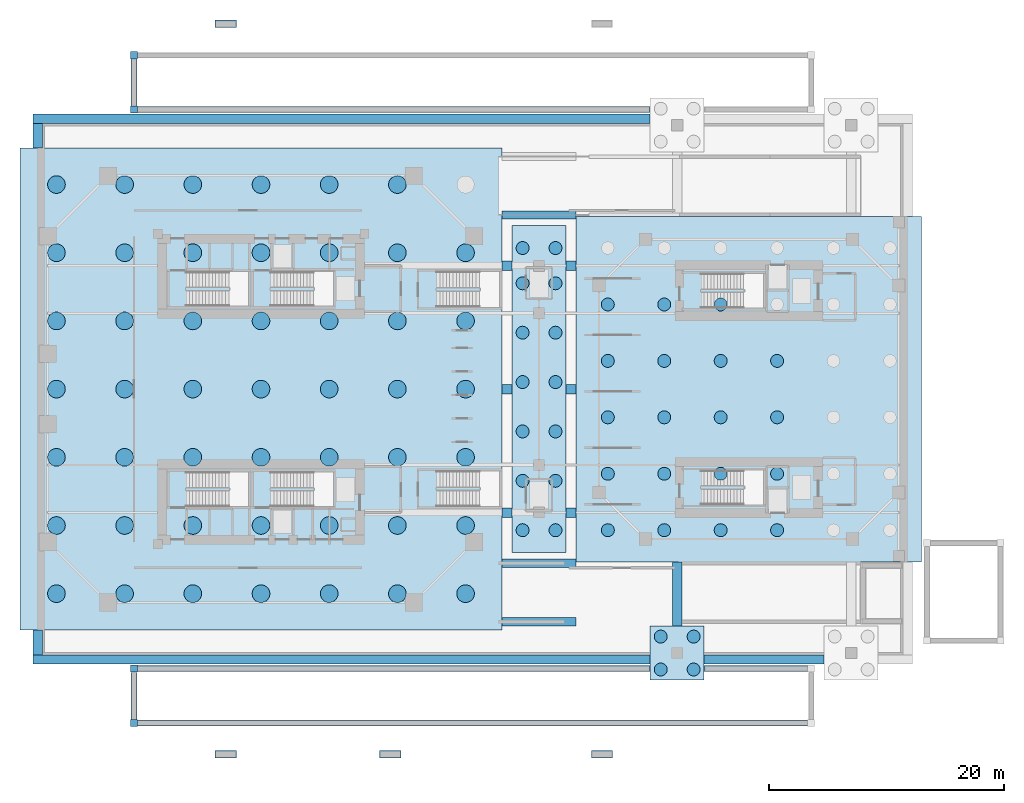
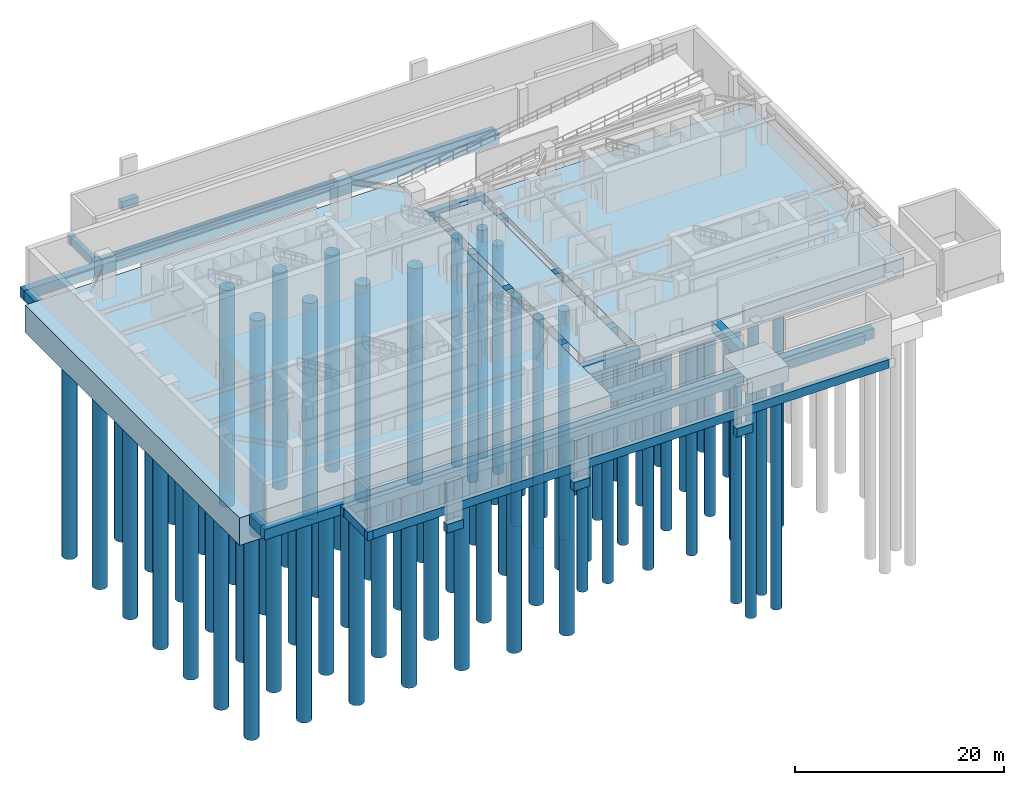
# One storey, part 1 of 13: 85 piles, 33 footings.
"""IFC4 building model written with IfcOpenShell, lengths in metres."""

from ifc_helpers import new_model, si_unit, direction, frame, origin, origin_2d, place, context, subcontext, project, spatial, polyline, circle, outline, extrude, source, transform, mapped, material, material_profile, profile_set, type_object, element, save


model = new_model("IFC4")

# Units and contexts
model_context = context("Model", 3, precision=1e-05, world=origin(), true_north=direction((0.0, 1.0)))
body_context = subcontext(model_context, "Body", "Model", "MODEL_VIEW")
ifc_project = project(units=[si_unit("LENGTHUNIT", "METRE"), si_unit("AREAUNIT", "SQUARE_METRE"), si_unit("VOLUMEUNIT", "CUBIC_METRE"), si_unit("PLANEANGLEUNIT", "RADIAN"), si_unit("MASSUNIT", "GRAM", prefix="KILO"), si_unit("THERMODYNAMICTEMPERATUREUNIT", "KELVIN"), si_unit("POWERUNIT", "WATT")], contexts=[model_context])

# Site, building, storey
site_placement = place(None, origin())
site = spatial("IfcSite", under=ifc_project, at=site_placement, CompositionType="ELEMENT")
building_placement = place(site_placement, origin())
building = spatial("IfcBuilding", under=site, at=building_placement, Name="Qiaomeng Ring Towers", CompositionType="ELEMENT")
storey_placement = place(building_placement, frame((0.0, 0.0, -9.60009765625)))
storey = spatial("IfcBuildingStorey", under=building, at=storey_placement, Name="B2", CompositionType="ELEMENT", Elevation=-9.60009765625)

# Footings
ifc_material = material(Name="Concrete C40", Category="concrete")
footing_type_1 = type_object("IfcFootingType", Name="FND-CAP-PC1", PredefinedType="PILE_CAP", material=ifc_material)
footing_1_placement = place(storey_placement, frame((0.0, 0.0, -1.7998046875)))
element("IfcFooting", 1, at=footing_1_placement, inside=storey, type_object=footing_type_1, Name="Podium Pile Cap PC1-01", PredefinedType="PILE_CAP", context=body_context, shape_type="SweptSolid", body=[
    extrude(outline(polyline([(52.10009765625, -1.75), (56.699951171875, -1.75), (56.699951171875, 2.85009765625), (52.10009765625, 2.85009765625), (52.10009765625, -1.75)])), origin(), (0.0, 0.0, 1.0), 1.7998046875),
])
footing_type_2 = type_object("IfcFootingType", Name="FND-GB-FB1", PredefinedType="FOOTING_BEAM", material=ifc_material)
footing_2_placement = place(storey_placement, frame((0.0, 0.0, -1.199951171875)))
element("IfcFooting", 2, at=footing_2_placement, inside=storey, type_object=footing_type_2, Name="Foundation Tie Beam FB1-01", PredefinedType="FOOTING_BEAM", context=body_context, shape_type="SweptSolid", body=[
    extrude(outline(polyline([(39.5, 12.10009765625), (40.35009765625, 12.10009765625), (40.35009765625, 12.89990234375), (39.5, 12.89990234375), (39.5, 12.10009765625)])), origin(), (0.0, 0.0, 1.0), 1.199951171875),
])
footing_3_placement = place(storey_placement, frame((0.0, 0.0, -1.199951171875)))
element("IfcFooting", 3, at=footing_3_placement, inside=storey, type_object=footing_type_2, Name="Foundation Tie Beam FB1-02", PredefinedType="FOOTING_BEAM", context=body_context, shape_type="SweptSolid", body=[
    extrude(outline(polyline([(44.949951171875, 12.10009765625), (45.800048828125, 12.10009765625), (45.800048828125, 12.89990234375), (44.949951171875, 12.89990234375), (44.949951171875, 12.10009765625)])), origin(), (0.0, 0.0, 1.0), 1.199951171875),
])
footing_4_placement = place(storey_placement, frame((0.0, 0.0, -1.199951171875)))
element("IfcFooting", 4, at=footing_4_placement, inside=storey, type_object=footing_type_2, Name="Foundation Tie Beam FB1-03", PredefinedType="FOOTING_BEAM", context=body_context, shape_type="SweptSolid", body=[
    extrude(outline(polyline([(39.5, 22.60009765625), (40.35009765625, 22.60009765625), (40.35009765625, 23.39990234375), (39.5, 23.39990234375), (39.5, 22.60009765625)])), origin(), (0.0, 0.0, 1.0), 1.199951171875),
])
footing_5_placement = place(storey_placement, frame((0.0, 0.0, -1.199951171875)))
element("IfcFooting", 5, at=footing_5_placement, inside=storey, type_object=footing_type_2, Name="Foundation Tie Beam FB1-04", PredefinedType="FOOTING_BEAM", context=body_context, shape_type="SweptSolid", body=[
    extrude(outline(polyline([(44.949951171875, 22.60009765625), (45.800048828125, 22.60009765625), (45.800048828125, 23.39990234375), (44.949951171875, 23.39990234375), (44.949951171875, 22.60009765625)])), origin(), (0.0, 0.0, 1.0), 1.199951171875),
])
footing_6_placement = place(storey_placement, frame((0.0, 0.0, -1.199951171875)))
element("IfcFooting", 6, at=footing_6_placement, inside=storey, type_object=footing_type_2, Name="Foundation Tie Beam FB1-05", PredefinedType="FOOTING_BEAM", context=body_context, shape_type="SweptSolid", body=[
    extrude(outline(polyline([(39.5, 33.10009765625), (40.35009765625, 33.10009765625), (40.35009765625, 33.89990234375), (39.5, 33.89990234375), (39.5, 33.10009765625)])), origin(), (0.0, 0.0, 1.0), 1.199951171875),
])
footing_7_placement = place(storey_placement, frame((0.0, 0.0, -1.199951171875)))
element("IfcFooting", 7, at=footing_7_placement, inside=storey, type_object=footing_type_2, Name="Foundation Tie Beam FB1-06", PredefinedType="FOOTING_BEAM", context=body_context, shape_type="SweptSolid", body=[
    extrude(outline(polyline([(44.949951171875, 33.10009765625), (45.800048828125, 33.10009765625), (45.800048828125, 33.89990234375), (44.949951171875, 33.89990234375), (44.949951171875, 33.10009765625)])), origin(), (0.0, 0.0, 1.0), 1.199951171875),
])
footing_8_placement = place(storey_placement, frame((0.0, 0.0, -1.199951171875)))
element("IfcFooting", 8, at=footing_8_placement, inside=storey, type_object=footing_type_2, Name="Foundation Tie Beam FB1-09", PredefinedType="FOOTING_BEAM", context=body_context, shape_type="SweptSolid", body=[
    extrude(outline(polyline([(-0.39990234375, -0.39990234375), (52.10009765625, -0.39990234375), (52.10009765625, 0.39990234375), (-0.39990234375, 0.39990234375), (-0.39990234375, -0.39990234375)])), origin(), (0.0, 0.0, 1.0), 1.199951171875),
])
footing_9_placement = place(storey_placement, frame((0.0, 0.0, -1.199951171875)))
element("IfcFooting", 9, at=footing_9_placement, inside=storey, type_object=footing_type_2, Name="Foundation Tie Beam FB1-10", PredefinedType="FOOTING_BEAM", context=body_context, shape_type="SweptSolid", body=[
    extrude(outline(polyline([(56.699951171875, -0.39990234375), (66.89990234375, -0.39990234375), (66.89990234375, 0.39990234375), (56.699951171875, 0.39990234375), (56.699951171875, -0.39990234375)])), origin(), (0.0, 0.0, 1.0), 1.199951171875),
])
footing_10_placement = place(storey_placement, frame((0.0, 0.0, -1.199951171875)))
element("IfcFooting", 10, at=footing_10_placement, inside=storey, type_object=footing_type_2, Name="Foundation Tie Beam FB1-12", PredefinedType="FOOTING_BEAM", context=body_context, shape_type="SweptSolid", body=[
    extrude(outline(polyline([(-0.39990234375, 45.60009765625), (52.10009765625, 45.60009765625), (52.10009765625, 46.39990234375), (-0.39990234375, 46.39990234375), (-0.39990234375, 45.60009765625)])), origin(), (0.0, 0.0, 1.0), 1.199951171875),
])
footing_11_placement = place(storey_placement, frame((0.0, 0.0, -1.199951171875)))
element("IfcFooting", 11, at=footing_11_placement, inside=storey, type_object=footing_type_2, Name="Foundation Tie Beam FB1-15", PredefinedType="FOOTING_BEAM", context=body_context, shape_type="SweptSolid", body=[
    extrude(outline(polyline([(54.0, 2.85009765625), (54.800048828125, 2.85009765625), (54.800048828125, 8.300048828125), (54.0, 8.300048828125), (54.0, 2.85009765625)])), origin(), (0.0, 0.0, 1.0), 1.199951171875),
])
footing_12_placement = place(storey_placement, frame((0.0, 0.0, -1.199951171875)))
element("IfcFooting", 12, at=footing_12_placement, inside=storey, type_object=footing_type_2, Name="Foundation Tie Beam FB1-19", PredefinedType="FOOTING_BEAM", context=body_context, shape_type="SweptSolid", body=[
    extrude(outline(polyline([(-0.39990234375, 0.39990234375), (0.39990234375, 0.39990234375), (0.39990234375, 2.5), (-0.39990234375, 2.5), (-0.39990234375, 0.39990234375)])), origin(), (0.0, 0.0, 1.0), 1.199951171875),
])
footing_13_placement = place(storey_placement, frame((0.0, 0.0, -1.199951171875)))
element("IfcFooting", 13, at=footing_13_placement, inside=storey, type_object=footing_type_2, Name="Foundation Tie Beam FB1-20", PredefinedType="FOOTING_BEAM", context=body_context, shape_type="SweptSolid", body=[
    extrude(outline(polyline([(-0.39990234375, 43.5), (0.39990234375, 43.5), (0.39990234375, 45.60009765625), (-0.39990234375, 45.60009765625), (-0.39990234375, 43.5)])), origin(), (0.0, 0.0, 1.0), 1.199951171875),
])
footing_type_3 = type_object("IfcFootingType", Name="FND-GB-FB2", PredefinedType="FOOTING_BEAM", material=ifc_material)
footing_14_placement = place(storey_placement, frame((0.0, 0.0, -1.0)))
element("IfcFooting", 14, at=footing_14_placement, inside=storey, type_object=footing_type_3, Name="Apron Strip Footing PLZ-S-S", PredefinedType="FOOTING_BEAM", context=body_context, shape_type="SweptSolid", body=[
    extrude(outline(polyline([(8.510009765625, -5.64990234375), (65.489990234375, -5.64990234375), (65.489990234375, -5.14990234375), (8.510009765625, -5.14990234375), (8.510009765625, -5.64990234375)])), origin(), (0.0, 0.0, 1.0), 1.0),
])
footing_15_placement = place(storey_placement, frame((0.0, 0.0, -1.0)))
element("IfcFooting", 15, at=footing_15_placement, inside=storey, type_object=footing_type_3, Name="Apron Strip Footing PLZ-S-N1", PredefinedType="FOOTING_BEAM", context=body_context, shape_type="SweptSolid", body=[
    extrude(outline(polyline([(8.510009765625, -1.030029296875), (52.097900390625, -1.030029296875), (52.097900390625, -0.530029296875), (8.510009765625, -0.530029296875), (8.510009765625, -1.030029296875)])), origin(), (0.0, 0.0, 1.0), 1.0),
])
footing_16_placement = place(storey_placement, frame((0.0, 0.0, -1.0)))
element("IfcFooting", 16, at=footing_16_placement, inside=storey, type_object=footing_type_3, Name="Apron Strip Footing PLZ-S-N2", PredefinedType="FOOTING_BEAM", context=body_context, shape_type="SweptSolid", body=[
    extrude(outline(polyline([(56.701904296875, -1.030029296875), (65.489990234375, -1.030029296875), (65.489990234375, -0.530029296875), (56.701904296875, -0.530029296875), (56.701904296875, -1.030029296875)])), origin(), (0.0, 0.0, 1.0), 1.0),
])
footing_17_placement = place(storey_placement, frame((0.0, 0.0, -1.0)))
element("IfcFooting", 17, at=footing_17_placement, inside=storey, type_object=footing_type_3, Name="Apron Strip Footing PLZ-S-W", PredefinedType="FOOTING_BEAM", context=body_context, shape_type="SweptSolid", body=[
    extrude(outline(polyline([(7.949951171875, -5.090087890625), (8.449951171875, -5.090087890625), (8.449951171875, -1.090087890625), (7.949951171875, -1.090087890625), (7.949951171875, -5.090087890625)])), origin(), (0.0, 0.0, 1.0), 1.0),
])
footing_18_placement = place(storey_placement, frame((0.0, 0.0, -1.0)))
element("IfcFooting", 18, at=footing_18_placement, inside=storey, type_object=footing_type_3, Name="Apron Strip Footing PLZ-N-S1", PredefinedType="FOOTING_BEAM", context=body_context, shape_type="SweptSolid", body=[
    extrude(outline(polyline([(8.510009765625, 46.530029296875), (52.097900390625, 46.530029296875), (52.097900390625, 47.030029296875), (8.510009765625, 47.030029296875), (8.510009765625, 46.530029296875)])), origin(), (0.0, 0.0, 1.0), 1.0),
])
footing_19_placement = place(storey_placement, frame((0.0, 0.0, -1.0)))
element("IfcFooting", 19, at=footing_19_placement, inside=storey, type_object=footing_type_3, Name="Apron Strip Footing PLZ-N-W", PredefinedType="FOOTING_BEAM", context=body_context, shape_type="SweptSolid", body=[
    extrude(outline(polyline([(7.949951171875, 47.090087890625), (8.449951171875, 47.090087890625), (8.449951171875, 51.090087890625), (7.949951171875, 51.090087890625), (7.949951171875, 47.090087890625)])), origin(), (0.0, 0.0, 1.0), 1.0),
])
footing_20_placement = place(storey_placement, frame((0.0, 0.0, -1.199951171875)))
element("IfcFooting", 20, at=footing_20_placement, inside=storey, type_object=footing_type_3, Name="Vehicle Ramp R1 Support Strip Footing S", PredefinedType="FOOTING_BEAM", context=body_context, shape_type="SweptSolid", body=[
    extrude(outline(polyline([(39.52001953125, 2.8701171875), (45.780029296875, 2.8701171875), (45.780029296875, 3.570068359375), (39.52001953125, 3.570068359375), (39.52001953125, 2.8701171875)])), origin(), (0.0, 0.0, 1.0), 1.199951171875),
])
footing_21_placement = place(storey_placement, frame((0.0, 0.0, -1.199951171875)))
element("IfcFooting", 21, at=footing_21_placement, inside=storey, type_object=footing_type_3, Name="Vehicle Ramp R1 Support Strip Footing N", PredefinedType="FOOTING_BEAM", context=body_context, shape_type="SweptSolid", body=[
    extrude(outline(polyline([(39.52001953125, 7.830078125), (45.780029296875, 7.830078125), (45.780029296875, 8.530029296875), (39.52001953125, 8.530029296875), (39.52001953125, 7.830078125)])), origin(), (0.0, 0.0, 1.0), 1.199951171875),
])
footing_22_placement = place(storey_placement, frame((0.0, 0.0, -1.199951171875)))
element("IfcFooting", 22, at=footing_22_placement, inside=storey, type_object=footing_type_3, Name="Vehicle Ramp R2 Support Strip Footing S", PredefinedType="FOOTING_BEAM", context=body_context, shape_type="SweptSolid", body=[
    extrude(outline(polyline([(39.52001953125, 37.469970703125), (45.780029296875, 37.469970703125), (45.780029296875, 38.169921875), (39.52001953125, 38.169921875), (39.52001953125, 37.469970703125)])), origin(), (0.0, 0.0, 1.0), 1.199951171875),
])
footing_type_4 = type_object("IfcFootingType", Name="FND-PAD-APRON", PredefinedType="PAD_FOOTING", material=ifc_material)
footing_23_placement = place(storey_placement, frame((0.0, 0.0, -1.0)))
element("IfcFooting", 23, at=footing_23_placement, inside=storey, type_object=footing_type_4, Name="Apron Corner Pad Footing PLZ-S-SW", PredefinedType="PAD_FOOTING", context=body_context, shape_type="SweptSolid", body=[
    extrude(outline(polyline([(7.89990234375, -5.699951171875), (8.5, -5.699951171875), (8.5, -5.10009765625), (7.89990234375, -5.10009765625), (7.89990234375, -5.699951171875)])), origin(), (0.0, 0.0, 1.0), 1.0),
])
footing_24_placement = place(storey_placement, frame((0.0, 0.0, -1.0)))
element("IfcFooting", 24, at=footing_24_placement, inside=storey, type_object=footing_type_4, Name="Apron Corner Pad Footing PLZ-S-NW", PredefinedType="PAD_FOOTING", context=body_context, shape_type="SweptSolid", body=[
    extrude(outline(polyline([(7.89990234375, -1.080078125), (8.5, -1.080078125), (8.5, -0.47998046875), (7.89990234375, -0.47998046875), (7.89990234375, -1.080078125)])), origin(), (0.0, 0.0, 1.0), 1.0),
])
footing_25_placement = place(storey_placement, frame((0.0, 0.0, -1.0)))
element("IfcFooting", 25, at=footing_25_placement, inside=storey, type_object=footing_type_4, Name="Apron Corner Pad Footing PLZ-N-SW", PredefinedType="PAD_FOOTING", context=body_context, shape_type="SweptSolid", body=[
    extrude(outline(polyline([(7.89990234375, 46.47998046875), (8.5, 46.47998046875), (8.5, 47.080078125), (7.89990234375, 47.080078125), (7.89990234375, 46.47998046875)])), origin(), (0.0, 0.0, 1.0), 1.0),
])
footing_26_placement = place(storey_placement, frame((0.0, 0.0, -1.0)))
element("IfcFooting", 26, at=footing_26_placement, inside=storey, type_object=footing_type_4, Name="Apron Corner Pad Footing PLZ-N-NW", PredefinedType="PAD_FOOTING", context=body_context, shape_type="SweptSolid", body=[
    extrude(outline(polyline([(7.89990234375, 51.10009765625), (8.5, 51.10009765625), (8.5, 51.699951171875), (7.89990234375, 51.699951171875), (7.89990234375, 51.10009765625)])), origin(), (0.0, 0.0, 1.0), 1.0),
])
footing_type_5 = type_object("IfcFootingType", Name="FND-PAD-AR", PredefinedType="PAD_FOOTING", material=ifc_material)
footing_27_placement = place(storey_placement, frame((0.0, 0.0, -1.0)))
element("IfcFooting", 27, at=footing_27_placement, inside=storey, type_object=footing_type_5, Name="AR1 Kerb Pad Footing", PredefinedType="PAD_FOOTING", context=body_context, shape_type="SweptSolid", body=[
    extrude(outline(polyline([(15.10009765625, -8.39794921875), (16.89990234375, -8.39794921875), (16.89990234375, -7.748046875), (15.10009765625, -7.748046875), (15.10009765625, -8.39794921875)])), origin(), (0.0, 0.0, 1.0), 1.0),
])
footing_28_placement = place(storey_placement, frame((0.0, 0.0, -1.0)))
element("IfcFooting", 28, at=footing_28_placement, inside=storey, type_object=footing_type_5, Name="AR2 Kerb Pad Footing", PredefinedType="PAD_FOOTING", context=body_context, shape_type="SweptSolid", body=[
    extrude(outline(polyline([(47.10009765625, -8.39794921875), (48.89990234375, -8.39794921875), (48.89990234375, -7.748046875), (47.10009765625, -7.748046875), (47.10009765625, -8.39794921875)])), origin(), (0.0, 0.0, 1.0), 1.0),
])
footing_29_placement = place(storey_placement, frame((0.0, 0.0, -1.0)))
element("IfcFooting", 29, at=footing_29_placement, inside=storey, type_object=footing_type_5, Name="AR3 Kerb Pad Footing", PredefinedType="PAD_FOOTING", context=body_context, shape_type="SweptSolid", body=[
    extrude(outline(polyline([(15.10009765625, 53.748046875), (16.89990234375, 53.748046875), (16.89990234375, 54.39794921875), (15.10009765625, 54.39794921875), (15.10009765625, 53.748046875)])), origin(), (0.0, 0.0, 1.0), 1.0),
])
footing_30_placement = place(storey_placement, frame((0.0, 0.0, -1.0)))
element("IfcFooting", 30, at=footing_30_placement, inside=storey, type_object=footing_type_5, Name="AR5 Kerb Pad Footing", PredefinedType="PAD_FOOTING", context=body_context, shape_type="SweptSolid", body=[
    extrude(outline(polyline([(29.10009765625, -8.39794921875), (30.89990234375, -8.39794921875), (30.89990234375, -7.748046875), (29.10009765625, -7.748046875), (29.10009765625, -8.39794921875)])), origin(), (0.0, 0.0, 1.0), 1.0),
])
footing_type_6 = type_object("IfcFootingType", Name="FND-RAFT-RF3", PredefinedType="PILE_CAP", material=ifc_material)
footing_31_placement = place(storey_placement, frame((0.0, 0.0, -1.7998046875)))
element("IfcFooting", 31, at=footing_31_placement, inside=storey, type_object=footing_type_6, Name="Podium Throat Piled Strip Raft RF3", PredefinedType="PILE_CAP", context=body_context, shape_type="SweptSolid", body=[
    extrude(outline(polyline([(40.35009765625, 9.10009765625), (44.949951171875, 9.10009765625), (44.949951171875, 36.89990234375), (40.35009765625, 36.89990234375), (40.35009765625, 9.10009765625)])), origin(), (0.0, 0.0, 1.0), 1.7998046875),
])
footing_type_7 = type_object("IfcFootingType", Name="FND-RAFT-T1", PredefinedType="PILE_CAP", material=ifc_material)
footing_32_placement = place(storey_placement, frame((0.0, 0.0, -3.199951171875)))
element("IfcFooting", 32, at=footing_32_placement, inside=storey, type_object=footing_type_7, Name="Tower 1 Piled Foundation Raft RF1", PredefinedType="PILE_CAP", context=body_context, shape_type="SweptSolid", body=[
    extrude(outline(polyline([(-1.5, 2.5), (39.5, 2.5), (39.5, 43.5), (-1.5, 43.5), (-1.5, 2.5)])), origin(), (0.0, 0.0, 1.0), 3.199951171875),
])
footing_type_8 = type_object("IfcFootingType", Name="FND-RAFT-T2", PredefinedType="PILE_CAP", material=ifc_material)
footing_33_placement = place(storey_placement, frame((0.0, 0.0, -2.199951171875)))
element("IfcFooting", 33, at=footing_33_placement, inside=storey, type_object=footing_type_8, Name="Companion Tower 2 Piled Foundation Raft RF2", PredefinedType="PILE_CAP", context=body_context, shape_type="SweptSolid", body=[
    extrude(outline(polyline([(45.800048828125, 8.300048828125), (75.199951171875, 8.300048828125), (75.199951171875, 37.699951171875), (45.800048828125, 37.699951171875), (45.800048828125, 8.300048828125)])), origin(), (0.0, 0.0, 1.0), 2.199951171875),
])

# Piles
ifc_material_profile_1 = material_profile(ifc_material, circle(Radius=0.75, at=origin_2d()), Name="BORED PILE 1500")
ifc_profile_set_1 = profile_set([ifc_material_profile_1], Name="Concrete C40")
pile_type_1 = type_object("IfcPileType", Name="FND-PILE-1500", PredefinedType="BORED", material=ifc_profile_set_1)
shared_shape_1 = source(origin(), body_context, "Body", "SweptSolid", [
    extrude(circle(Radius=0.75, at=origin_2d()), origin(), (0.0, 0.0, 1.0), 25.300048828125),
])
for number, where, z_axis, x_axis, name in (
    (34, (1.60009765625, 5.60009765625, -3.099853515625), (0.0, 0.0, -1.0), (1.0, 0.0, 0.0), "Tower 1 Rock-Socketed Bored Pile PL1-001"),
    (35, (1.60009765625, 11.39990234375, -3.099853515625), (0.0, 0.0, -1.0), (1.0, 0.0, 0.0), "Tower 1 Rock-Socketed Bored Pile PL1-002"),
    (36, (1.60009765625, 17.199951171875, -3.099853515625), (0.0, 0.0, -1.0), (1.0, 0.0, 0.0), "Tower 1 Rock-Socketed Bored Pile PL1-003"),
    (37, (1.60009765625, 23.0, -3.099853515625), (0.0, 0.0, -1.0), (1.0, 0.0, 0.0), "Tower 1 Rock-Socketed Bored Pile PL1-004"),
    (38, (1.60009765625, 28.800048828125, -3.099853515625), (0.0, 0.0, -1.0), (1.0, 0.0, 0.0), "Tower 1 Rock-Socketed Bored Pile PL1-005"),
    (39, (1.60009765625, 34.60009765625, -3.099853515625), (0.0, 0.0, -1.0), (1.0, 0.0, 0.0), "Tower 1 Rock-Socketed Bored Pile PL1-006"),
    (40, (1.60009765625, 40.39990234375, -3.099853515625), (0.0, 0.0, -1.0), (1.0, 0.0, 0.0), "Tower 1 Rock-Socketed Bored Pile PL1-007"),
    (41, (7.39990234375, 5.60009765625, -3.099853515625), (0.0, 0.0, -1.0), (1.0, 0.0, 0.0), "Tower 1 Rock-Socketed Bored Pile PL1-008"),
    (42, (7.39990234375, 11.39990234375, -3.099853515625), (0.0, 0.0, -1.0), (1.0, 0.0, 0.0), "Tower 1 Rock-Socketed Bored Pile PL1-009"),
    (43, (7.39990234375, 17.199951171875, -3.099853515625), (0.0, 0.0, -1.0), (1.0, 0.0, 0.0), "Tower 1 Rock-Socketed Bored Pile PL1-010"),
    (44, (7.39990234375, 23.0, -3.099853515625), (0.0, 0.0, -1.0), (1.0, 0.0, 0.0), "Tower 1 Rock-Socketed Bored Pile PL1-011"),
    (45, (7.39990234375, 28.800048828125, -3.099853515625), (0.0, 0.0, -1.0), (1.0, 0.0, 0.0), "Tower 1 Rock-Socketed Bored Pile PL1-012"),
    (46, (7.39990234375, 34.60009765625, -3.099853515625), (0.0, 0.0, -1.0), (1.0, 0.0, 0.0), "Tower 1 Rock-Socketed Bored Pile PL1-013"),
    (47, (7.39990234375, 40.39990234375, -3.099853515625), (0.0, 0.0, -1.0), (1.0, 0.0, 0.0), "Tower 1 Rock-Socketed Bored Pile PL1-014"),
    (48, (13.199951171875, 5.60009765625, -3.099853515625), (0.0, 0.0, -1.0), (1.0, 0.0, 0.0), "Tower 1 Rock-Socketed Bored Pile PL1-015"),
    (49, (13.199951171875, 11.39990234375, -3.099853515625), (0.0, 0.0, -1.0), (1.0, 0.0, 0.0), "Tower 1 Rock-Socketed Bored Pile PL1-016"),
    (50, (13.199951171875, 17.199951171875, -3.099853515625), (0.0, 0.0, -1.0), (1.0, 0.0, 0.0), "Tower 1 Rock-Socketed Bored Pile PL1-017"),
    (51, (13.199951171875, 23.0, -3.099853515625), (0.0, 0.0, -1.0), (1.0, 0.0, 0.0), "Tower 1 Rock-Socketed Bored Pile PL1-018"),
    (52, (13.199951171875, 28.800048828125, -3.099853515625), (0.0, 0.0, -1.0), (1.0, 0.0, 0.0), "Tower 1 Rock-Socketed Bored Pile PL1-019"),
    (53, (13.199951171875, 34.60009765625, -3.099853515625), (0.0, 0.0, -1.0), (1.0, 0.0, 0.0), "Tower 1 Rock-Socketed Bored Pile PL1-020"),
    (54, (13.199951171875, 40.39990234375, -3.099853515625), (0.0, 0.0, -1.0), (1.0, 0.0, 0.0), "Tower 1 Rock-Socketed Bored Pile PL1-021"),
    (55, (19.0, 5.60009765625, -3.099853515625), (0.0, 0.0, -1.0), (1.0, 0.0, 0.0), "Tower 1 Rock-Socketed Bored Pile PL1-022"),
    (56, (19.0, 11.39990234375, -3.099853515625), (0.0, 0.0, -1.0), (1.0, 0.0, 0.0), "Tower 1 Rock-Socketed Bored Pile PL1-023"),
    (57, (19.0, 17.199951171875, -3.099853515625), (0.0, 0.0, -1.0), (1.0, 0.0, 0.0), "Tower 1 Rock-Socketed Bored Pile PL1-024"),
    (58, (19.0, 23.0, -3.099853515625), (0.0, 0.0, -1.0), (1.0, 0.0, 0.0), "Tower 1 Rock-Socketed Bored Pile PL1-025"),
    (59, (19.0, 28.800048828125, -3.099853515625), (0.0, 0.0, -1.0), (1.0, 0.0, 0.0), "Tower 1 Rock-Socketed Bored Pile PL1-026"),
    (60, (19.0, 34.60009765625, -3.099853515625), (0.0, 0.0, -1.0), (1.0, 0.0, 0.0), "Tower 1 Rock-Socketed Bored Pile PL1-027"),
    (61, (19.0, 40.39990234375, -3.099853515625), (0.0, 0.0, -1.0), (1.0, 0.0, 0.0), "Tower 1 Rock-Socketed Bored Pile PL1-028"),
    (62, (24.800048828125, 5.60009765625, -3.099853515625), (0.0, 0.0, -1.0), (1.0, 0.0, 0.0), "Tower 1 Rock-Socketed Bored Pile PL1-029"),
    (63, (24.800048828125, 11.39990234375, -3.099853515625), (0.0, 0.0, -1.0), (1.0, 0.0, 0.0), "Tower 1 Rock-Socketed Bored Pile PL1-030"),
    (64, (24.800048828125, 17.199951171875, -3.099853515625), (0.0, 0.0, -1.0), (1.0, 0.0, 0.0), "Tower 1 Rock-Socketed Bored Pile PL1-031"),
    (65, (24.800048828125, 23.0, -3.099853515625), (0.0, 0.0, -1.0), (1.0, 0.0, 0.0), "Tower 1 Rock-Socketed Bored Pile PL1-032"),
    (66, (24.800048828125, 28.800048828125, -3.099853515625), (0.0, 0.0, -1.0), (1.0, 0.0, 0.0), "Tower 1 Rock-Socketed Bored Pile PL1-033"),
    (67, (24.800048828125, 34.60009765625, -3.099853515625), (0.0, 0.0, -1.0), (1.0, 0.0, 0.0), "Tower 1 Rock-Socketed Bored Pile PL1-034"),
    (68, (24.800048828125, 40.39990234375, -3.099853515625), (0.0, 0.0, -1.0), (1.0, 0.0, 0.0), "Tower 1 Rock-Socketed Bored Pile PL1-035"),
    (69, (30.60009765625, 5.60009765625, -3.099853515625), (0.0, 0.0, -1.0), (1.0, 0.0, 0.0), "Tower 1 Rock-Socketed Bored Pile PL1-036"),
    (70, (30.60009765625, 11.39990234375, -3.099853515625), (0.0, 0.0, -1.0), (1.0, 0.0, 0.0), "Tower 1 Rock-Socketed Bored Pile PL1-037"),
    (71, (30.60009765625, 17.199951171875, -3.099853515625), (0.0, 0.0, -1.0), (1.0, 0.0, 0.0), "Tower 1 Rock-Socketed Bored Pile PL1-038"),
    (72, (30.60009765625, 23.0, -3.099853515625), (0.0, 0.0, -1.0), (1.0, 0.0, 0.0), "Tower 1 Rock-Socketed Bored Pile PL1-039"),
    (73, (30.60009765625, 28.800048828125, -3.099853515625), (0.0, 0.0, -1.0), (1.0, 0.0, 0.0), "Tower 1 Rock-Socketed Bored Pile PL1-040"),
    (74, (30.60009765625, 34.60009765625, -3.099853515625), (0.0, 0.0, -1.0), (1.0, 0.0, 0.0), "Tower 1 Rock-Socketed Bored Pile PL1-041"),
    (75, (30.60009765625, 40.39990234375, -3.099853515625), (0.0, 0.0, -1.0), (1.0, 0.0, 0.0), "Tower 1 Rock-Socketed Bored Pile PL1-042"),
    (76, (36.39990234375, 5.60009765625, -3.099853515625), (0.0, 0.0, -1.0), (1.0, 0.0, 0.0), "Tower 1 Rock-Socketed Bored Pile PL1-043"),
    (77, (36.39990234375, 11.39990234375, -3.099853515625), (0.0, 0.0, -1.0), (1.0, 0.0, 0.0), "Tower 1 Rock-Socketed Bored Pile PL1-044"),
    (78, (36.39990234375, 17.199951171875, -3.099853515625), (0.0, 0.0, -1.0), (1.0, 0.0, 0.0), "Tower 1 Rock-Socketed Bored Pile PL1-045"),
    (79, (36.39990234375, 23.0, -3.099853515625), (0.0, 0.0, -1.0), (1.0, 0.0, 0.0), "Tower 1 Rock-Socketed Bored Pile PL1-046"),
    (80, (36.39990234375, 28.800048828125, -3.099853515625), (0.0, 0.0, -1.0), (1.0, 0.0, 0.0), "Tower 1 Rock-Socketed Bored Pile PL1-047"),
    (81, (36.39990234375, 34.60009765625, -3.099853515625), (0.0, 0.0, -1.0), (1.0, 0.0, 0.0), "Tower 1 Rock-Socketed Bored Pile PL1-048"),
):
    element("IfcPile", number, at=place(storey_placement, frame(where, z_axis=z_axis, x_axis=x_axis)), inside=storey, type_object=pile_type_1, Name=name, PredefinedType="BORED", context=body_context, shape_type="MappedRepresentation", body=[
        mapped(shared_shape_1, transform((0.0, 0.0, 0.0), x_axis=(1.0, 0.0, 0.0), y_axis=(0.0, 1.0, 0.0), z_axis=(0.0, 0.0, 1.0), scale=1.0)),
    ])
ifc_material_profile_2 = material_profile(ifc_material, circle(Radius=0.550048828125, at=origin_2d()), Name="BORED PILE 1100")
ifc_profile_set_2 = profile_set([ifc_material_profile_2], Name="Concrete C40")
pile_type_2 = type_object("IfcPileType", Name="FND-PILE-1100", PredefinedType="BORED", material=ifc_profile_set_2)
shared_shape_2 = source(origin(), body_context, "Body", "SweptSolid", [
    extrude(circle(Radius=0.550048828125, at=origin_2d()), origin(), (0.0, 0.0, 1.0), 26.300048828125),
])
for number, where, z_axis, x_axis, name in (
    (82, (48.5, 11.0, -2.099853515625), (0.0, 0.0, -1.0), (1.0, 0.0, 0.0), "Companion Rock-Socketed Bored Pile PL2-001"),
    (83, (48.5, 15.800048828125, -2.099853515625), (0.0, 0.0, -1.0), (1.0, 0.0, 0.0), "Companion Rock-Socketed Bored Pile PL2-002"),
    (84, (48.5, 20.60009765625, -2.099853515625), (0.0, 0.0, -1.0), (1.0, 0.0, 0.0), "Companion Rock-Socketed Bored Pile PL2-003"),
    (85, (48.5, 25.39990234375, -2.099853515625), (0.0, 0.0, -1.0), (1.0, 0.0, 0.0), "Companion Rock-Socketed Bored Pile PL2-004"),
    (86, (48.5, 30.199951171875, -2.099853515625), (0.0, 0.0, -1.0), (1.0, 0.0, 0.0), "Companion Rock-Socketed Bored Pile PL2-005"),
    (87, (53.300048828125, 11.0, -2.099853515625), (0.0, 0.0, -1.0), (1.0, 0.0, 0.0), "Companion Rock-Socketed Bored Pile PL2-007"),
    (88, (53.300048828125, 15.800048828125, -2.099853515625), (0.0, 0.0, -1.0), (1.0, 0.0, 0.0), "Companion Rock-Socketed Bored Pile PL2-008"),
    (89, (53.300048828125, 20.60009765625, -2.099853515625), (0.0, 0.0, -1.0), (1.0, 0.0, 0.0), "Companion Rock-Socketed Bored Pile PL2-009"),
    (90, (53.300048828125, 25.39990234375, -2.099853515625), (0.0, 0.0, -1.0), (1.0, 0.0, 0.0), "Companion Rock-Socketed Bored Pile PL2-010"),
    (91, (53.300048828125, 30.199951171875, -2.099853515625), (0.0, 0.0, -1.0), (1.0, 0.0, 0.0), "Companion Rock-Socketed Bored Pile PL2-011"),
    (92, (58.10009765625, 11.0, -2.099853515625), (0.0, 0.0, -1.0), (1.0, 0.0, 0.0), "Companion Rock-Socketed Bored Pile PL2-013"),
    (93, (58.10009765625, 15.800048828125, -2.099853515625), (0.0, 0.0, -1.0), (1.0, 0.0, 0.0), "Companion Rock-Socketed Bored Pile PL2-014"),
    (94, (58.10009765625, 20.60009765625, -2.099853515625), (0.0, 0.0, -1.0), (1.0, 0.0, 0.0), "Companion Rock-Socketed Bored Pile PL2-015"),
    (95, (58.10009765625, 25.39990234375, -2.099853515625), (0.0, 0.0, -1.0), (1.0, 0.0, 0.0), "Companion Rock-Socketed Bored Pile PL2-016"),
    (96, (58.10009765625, 30.199951171875, -2.099853515625), (0.0, 0.0, -1.0), (1.0, 0.0, 0.0), "Companion Rock-Socketed Bored Pile PL2-017"),
    (97, (62.89990234375, 11.0, -2.099853515625), (0.0, 0.0, -1.0), (1.0, 0.0, 0.0), "Companion Rock-Socketed Bored Pile PL2-019"),
    (98, (62.89990234375, 15.800048828125, -2.099853515625), (0.0, 0.0, -1.0), (1.0, 0.0, 0.0), "Companion Rock-Socketed Bored Pile PL2-020"),
    (99, (62.89990234375, 20.60009765625, -2.099853515625), (0.0, 0.0, -1.0), (1.0, 0.0, 0.0), "Companion Rock-Socketed Bored Pile PL2-021"),
    (100, (62.89990234375, 25.39990234375, -2.099853515625), (0.0, 0.0, -1.0), (1.0, 0.0, 0.0), "Companion Rock-Socketed Bored Pile PL2-022"),
):
    element("IfcPile", number, at=place(storey_placement, frame(where, z_axis=z_axis, x_axis=x_axis)), inside=storey, type_object=pile_type_2, Name=name, PredefinedType="BORED", context=body_context, shape_type="MappedRepresentation", body=[
        mapped(shared_shape_2, transform((0.0, 0.0, 0.0), x_axis=(1.0, 0.0, 0.0), y_axis=(0.0, 1.0, 0.0), z_axis=(0.0, 0.0, 1.0), scale=1.0)),
    ])
shared_shape_3 = source(origin(), body_context, "Body", "SweptSolid", [
    extrude(circle(Radius=0.550048828125, at=origin_2d()), origin(), (0.0, 0.0, 1.0), 26.699951171875),
])
for number, where, z_axis, x_axis, name in (
    (101, (41.25, 11.0, -1.699951171875), (0.0, 0.0, -1.0), (1.0, 0.0, 0.0), "Podium Throat Bored Pile PL2-R001"),
    (102, (41.25, 15.199951171875, -1.699951171875), (0.0, 0.0, -1.0), (1.0, 0.0, 0.0), "Podium Throat Bored Pile PL2-R002"),
    (103, (41.25, 19.39990234375, -1.699951171875), (0.0, 0.0, -1.0), (1.0, 0.0, 0.0), "Podium Throat Bored Pile PL2-R003"),
    (104, (41.25, 23.60009765625, -1.699951171875), (0.0, 0.0, -1.0), (1.0, 0.0, 0.0), "Podium Throat Bored Pile PL2-R004"),
    (105, (41.25, 27.800048828125, -1.699951171875), (0.0, 0.0, -1.0), (1.0, 0.0, 0.0), "Podium Throat Bored Pile PL2-R005"),
    (106, (41.25, 32.0, -1.699951171875), (0.0, 0.0, -1.0), (1.0, 0.0, 0.0), "Podium Throat Bored Pile PL2-R006"),
    (107, (41.25, 35.0, -1.699951171875), (0.0, 0.0, -1.0), (1.0, 0.0, 0.0), "Podium Throat Bored Pile PL2-R007"),
    (108, (44.050048828125, 11.0, -1.699951171875), (0.0, 0.0, -1.0), (1.0, 0.0, 0.0), "Podium Throat Bored Pile PL2-R008"),
    (109, (44.050048828125, 15.199951171875, -1.699951171875), (0.0, 0.0, -1.0), (1.0, 0.0, 0.0), "Podium Throat Bored Pile PL2-R009"),
    (110, (44.050048828125, 19.39990234375, -1.699951171875), (0.0, 0.0, -1.0), (1.0, 0.0, 0.0), "Podium Throat Bored Pile PL2-R010"),
    (111, (44.050048828125, 23.60009765625, -1.699951171875), (0.0, 0.0, -1.0), (1.0, 0.0, 0.0), "Podium Throat Bored Pile PL2-R011"),
    (112, (44.050048828125, 27.800048828125, -1.699951171875), (0.0, 0.0, -1.0), (1.0, 0.0, 0.0), "Podium Throat Bored Pile PL2-R012"),
    (113, (44.050048828125, 32.0, -1.699951171875), (0.0, 0.0, -1.0), (1.0, 0.0, 0.0), "Podium Throat Bored Pile PL2-R013"),
    (114, (44.050048828125, 35.0, -1.699951171875), (0.0, 0.0, -1.0), (1.0, 0.0, 0.0), "Podium Throat Bored Pile PL2-R014"),
    (115, (53.0, -0.85009765625, -1.699951171875), (0.0, 0.0, -1.0), (1.0, 0.0, 0.0), "Podium Rock-Socketed Bored Pile PL2-P001"),
    (116, (53.0, 1.949951171875, -1.699951171875), (0.0, 0.0, -1.0), (1.0, 0.0, 0.0), "Podium Rock-Socketed Bored Pile PL2-P002"),
    (117, (55.800048828125, -0.85009765625, -1.699951171875), (0.0, 0.0, -1.0), (1.0, 0.0, 0.0), "Podium Rock-Socketed Bored Pile PL2-P003"),
    (118, (55.800048828125, 1.949951171875, -1.699951171875), (0.0, 0.0, -1.0), (1.0, 0.0, 0.0), "Podium Rock-Socketed Bored Pile PL2-P004"),
):
    element("IfcPile", number, at=place(storey_placement, frame(where, z_axis=z_axis, x_axis=x_axis)), inside=storey, type_object=pile_type_2, Name=name, PredefinedType="BORED", context=body_context, shape_type="MappedRepresentation", body=[
        mapped(shared_shape_3, transform((0.0, 0.0, 0.0), x_axis=(1.0, 0.0, 0.0), y_axis=(0.0, 1.0, 0.0), z_axis=(0.0, 0.0, 1.0), scale=1.0)),
    ])

save(model, "model.ifc")
